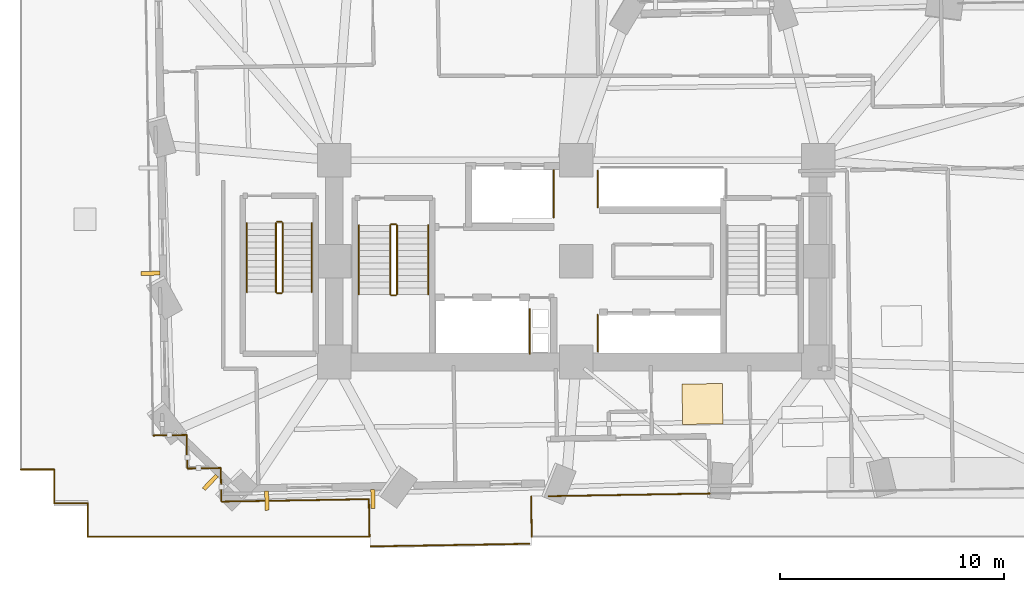
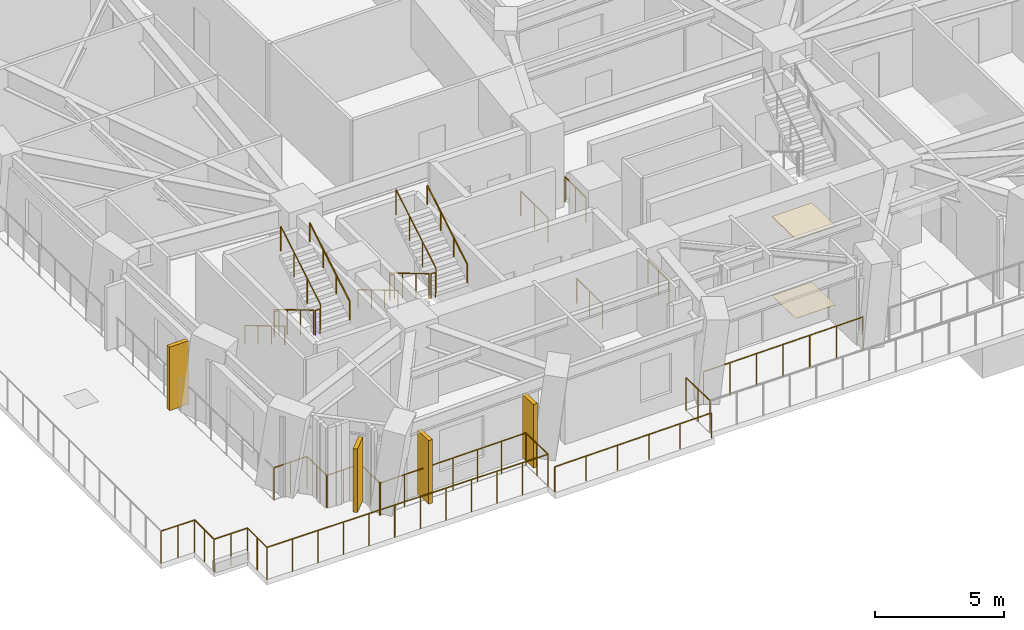
# One storey, part 11 of 17: 30 railings, 4 shading devices, 2 coverings.
"""IFC4 building model written with IfcOpenShell, lengths in metres."""

from ifc_helpers import new_model, si_unit, direction, frame, origin, origin_2d, place, context, subcontext, project, spatial, rectangle, circle, extrude, material, layer, layer_set, type_object, element, save


model = new_model("IFC4")

# Units and contexts
model_context = context("Model", 3, precision=1e-05, world=origin(), true_north=direction((0.0, 1.0)))
body_context = subcontext(model_context, "Body", "Model", "MODEL_VIEW")
ifc_project = project(units=[si_unit("LENGTHUNIT", "METRE"), si_unit("AREAUNIT", "SQUARE_METRE"), si_unit("VOLUMEUNIT", "CUBIC_METRE"), si_unit("PLANEANGLEUNIT", "RADIAN"), si_unit("MASSUNIT", "GRAM", prefix="KILO")], contexts=[model_context])

# Site, building, storey
site_placement = place(None, origin())
site = spatial("IfcSite", under=ifc_project, at=site_placement, CompositionType="ELEMENT")
building_placement = place(site_placement, origin())
building = spatial("IfcBuilding", under=site, at=building_placement, Name="Gaonmaruhae Medical Tower", CompositionType="ELEMENT")
storey_placement = place(building_placement, frame((0.0, 0.0, 27.0)))
storey = spatial("IfcBuildingStorey", under=building, at=storey_placement, Name="L05", CompositionType="ELEMENT", Elevation=27.0)

# Coverings
ifc_material_1 = material(Name="Acoustic mineral ceiling tile", Category="finish")
ifc_layer_1 = layer(ifc_material_1, 0.02490234375)
ifc_layer_set_1 = layer_set([ifc_layer_1], Name="Acoustic mineral ceiling tile")
covering_type_1 = type_object("IfcCoveringType", Name="CLG-01 Antimicrobial Acoustic Mineral Ceiling", PredefinedType="CEILING", material=ifc_layer_set_1)
covering_1_placement = place(storey_placement, frame((30.4326171875, 5.9248046875, 3.735107421875), z_axis=(0.0, 0.0, 1.0), x_axis=(0.999862544538, 0.016579868188, 0.0)))
element("IfcCovering", 1, at=covering_1_placement, inside=storey, type_object=covering_type_1, Name="L05 Clinical Room Acoustic Ceiling 2", PredefinedType="CEILING", context=body_context, shape_type="SweptSolid", body=[
    extrude(rectangle(XDim=1.800048828125, YDim=1.800048828125, at=origin_2d()), origin(), (0.0, 0.0, 1.0), 0.02490234375),
])
ifc_material_2 = material(Name="Seamless clinical vinyl flooring", Category="finish")
ifc_layer_2 = layer(ifc_material_2, 0.014892578125)
ifc_layer_set_2 = layer_set([ifc_layer_2], Name="Seamless clinical vinyl flooring")
covering_type_2 = type_object("IfcCoveringType", Name="FLR-01 Seamless Clinical Antistatic Vinyl Flooring", PredefinedType="FLOORING", material=ifc_layer_set_2)
covering_2_placement = place(storey_placement, frame((30.4326171875, 5.9248046875, 0.0), z_axis=(0.0, 0.0, 1.0), x_axis=(0.999862544538, 0.016579868188, 0.0)))
element("IfcCovering", 2, at=covering_2_placement, inside=storey, type_object=covering_type_2, Name="L05 Clinical Room Vinyl Flooring 2", PredefinedType="FLOORING", context=body_context, shape_type="SweptSolid", body=[
    extrude(rectangle(XDim=1.800048828125, YDim=1.800048828125, at=origin_2d()), origin(), (0.0, 0.0, 1.0), 0.014892578125),
])

# Railings
ifc_material_3 = material(Name="Stainless steel 316L and laminated safety glass", Category="steel")
ifc_layer_3 = layer(ifc_material_3, 0.080078125)
ifc_layer_set_3 = layer_set([ifc_layer_3], Name="Stainless steel 316L and laminated safety glass")
railing_type_1 = type_object("IfcRailingType", Name="GD-120 Outdoor Terrace Safety Glass & Steel Balustrade", PredefinedType="BALUSTRADE", material=ifc_layer_set_3)
railing_1_placement = place(storey_placement, frame((22.700927734375, -0.314208984375, 0.0)))
element("IfcRailing", 3, at=railing_1_placement, inside=storey, type_object=railing_type_1, Name="L05 Perimeter Slab Edge Safety Balustrade 02", PredefinedType="BALUSTRADE", context=body_context, shape_type="SweptSolid", body=[
    extrude(circle(Radius=0.02392578125, at=origin_2d()), frame((0.0, 0.0, 1.17578125), z_axis=(-0.999862439307, -0.01658621304, 0.0), x_axis=(0.01658621304, -0.999862439307, 0.0)), (0.0, 0.0, 1.0), 7.080078125),
    extrude(circle(Radius=0.02099609375, at=origin_2d()), origin(), (0.0, 0.0, 1.0), 1.15185546875),
    extrude(circle(Radius=0.02099609375, at=origin_2d()), frame((-1.415771484375, -0.0234375, 0.0)), (0.0, 0.0, 1.0), 1.15185546875),
    extrude(circle(Radius=0.02099609375, at=origin_2d()), frame((-2.83154296875, -0.046875, 0.0)), (0.0, 0.0, 1.0), 1.15185546875),
    extrude(circle(Radius=0.02099609375, at=origin_2d()), frame((-4.24755859375, -0.070556640625, 0.0)), (0.0, 0.0, 1.0), 1.15185546875),
    extrude(circle(Radius=0.02099609375, at=origin_2d()), frame((-5.663330078125, -0.093994140625, 0.0)), (0.0, 0.0, 1.0), 1.15185546875),
    extrude(circle(Radius=0.02099609375, at=origin_2d()), frame((-7.0791015625, -0.117431640625, 0.0)), (0.0, 0.0, 1.0), 1.15185546875),
])
ifc_layer_4 = layer(ifc_material_3, 0.080078125)
ifc_layer_set_4 = layer_set([ifc_layer_4], Name="Stainless steel 316L and laminated safety glass")
railing_type_2 = type_object("IfcRailingType", Name="GD-155 Planter-Edge Raised Safety Balustrade", PredefinedType="BALUSTRADE", material=ifc_layer_set_4)
railing_2_placement = place(storey_placement, frame((3.0, 1.5, 0.0)))
element("IfcRailing", 4, at=railing_2_placement, inside=storey, type_object=railing_type_2, Name="L05 Terrace Safety Guard RL-SLB-L05-PODROOF1-01", PredefinedType="BALUSTRADE", context=body_context, shape_type="SweptSolid", body=[
    extrude(circle(Radius=0.02392578125, at=origin_2d()), frame((0.0, 0.0, 1.52587890625), z_axis=(-1.0, 0.0, 0.0), x_axis=(0.0, -1.0, 0.0)), (0.0, 0.0, 1.0), 1.5),
    extrude(circle(Radius=0.02099609375, at=origin_2d()), origin(), (0.0, 0.0, 1.0), 1.501953125),
    extrude(circle(Radius=0.02099609375, at=origin_2d()), frame((-0.75, 0.0, 0.0)), (0.0, 0.0, 1.0), 1.501953125),
    extrude(circle(Radius=0.02099609375, at=origin_2d()), frame((-1.5, 0.0, 0.0)), (0.0, 0.0, 1.0), 1.501953125),
])
railing_3_placement = place(storey_placement, frame((1.5, 1.5, 0.0)))
element("IfcRailing", 5, at=railing_3_placement, inside=storey, type_object=railing_type_2, Name="L05 Terrace Safety Guard RL-SLB-L05-PODROOF1-02", PredefinedType="BALUSTRADE", context=body_context, shape_type="SweptSolid", body=[
    extrude(circle(Radius=0.02392578125, at=origin_2d()), frame((0.0, 0.0, 1.52587890625), z_axis=(0.0, 1.0, 0.0), x_axis=(-1.0, 0.0, 0.0)), (0.0, 0.0, 1.0), 1.5),
    extrude(circle(Radius=0.02099609375, at=origin_2d()), origin(), (0.0, 0.0, 1.0), 1.501953125),
    extrude(circle(Radius=0.02099609375, at=origin_2d()), frame((0.0, 0.75, 0.0)), (0.0, 0.0, 1.0), 1.501953125),
    extrude(circle(Radius=0.02099609375, at=origin_2d()), frame((0.0, 1.5, 0.0)), (0.0, 0.0, 1.0), 1.501953125),
])
railing_4_placement = place(storey_placement, frame((1.5, 3.0, 0.0)))
element("IfcRailing", 6, at=railing_4_placement, inside=storey, type_object=railing_type_2, Name="L05 Terrace Safety Guard RL-SLB-L05-PODROOF1-03", PredefinedType="BALUSTRADE", context=body_context, shape_type="SweptSolid", body=[
    extrude(circle(Radius=0.02392578125, at=origin_2d()), frame((0.0, 0.0, 1.52587890625), z_axis=(-1.0, 0.0, 0.0), x_axis=(0.0, -1.0, 0.0)), (0.0, 0.0, 1.0), 1.5),
    extrude(circle(Radius=0.02099609375, at=origin_2d()), origin(), (0.0, 0.0, 1.0), 1.501953125),
    extrude(circle(Radius=0.02099609375, at=origin_2d()), frame((-0.75, 0.0, 0.0)), (0.0, 0.0, 1.0), 1.501953125),
    extrude(circle(Radius=0.02099609375, at=origin_2d()), frame((-1.5, 0.0, 0.0)), (0.0, 0.0, 1.0), 1.501953125),
])
railing_5_placement = place(storey_placement, frame((22.815673828125, 0.0, 0.0)))
element("IfcRailing", 7, at=railing_5_placement, inside=storey, type_object=railing_type_2, Name="L05 Terrace Safety Guard RL-SLB-L05-PODROOF1-22", PredefinedType="BALUSTRADE", context=body_context, shape_type="SweptSolid", body=[
    extrude(circle(Radius=0.02392578125, at=origin_2d()), frame((0.0, 0.0, 1.52587890625), z_axis=(-0.016567059125, 0.999862756858, 0.0), x_axis=(-0.999862756858, -0.016567059125, 0.0)), (0.0, 0.0, 1.0), 1.7978515625),
    extrude(circle(Radius=0.02099609375, at=origin_2d()), origin(), (0.0, 0.0, 1.0), 1.501953125),
    extrude(circle(Radius=0.02099609375, at=origin_2d()), frame((-0.014892578125, 0.89892578125, 0.0)), (0.0, 0.0, 1.0), 1.501953125),
    extrude(circle(Radius=0.02099609375, at=origin_2d()), frame((-0.02978515625, 1.797607421875, 0.0)), (0.0, 0.0, 1.0), 1.501953125),
])
railing_6_placement = place(storey_placement, frame((23.56591796875, 1.810546875, 0.0)))
element("IfcRailing", 8, at=railing_6_placement, inside=storey, type_object=railing_type_2, Name="L05 Terrace Safety Guard RL-SLB-L05-PODROOF1-24", PredefinedType="BALUSTRADE", context=body_context, shape_type="SweptSolid", body=[
    extrude(circle(Radius=0.02392578125, at=origin_2d()), frame((0.0, 0.0, 1.52587890625), z_axis=(0.999863082403, 0.016547400014, 0.0), x_axis=(-0.016547400014, 0.999863082403, 0.0)), (0.0, 0.0, 1.0), 7.199951171875),
    extrude(circle(Radius=0.02099609375, at=origin_2d()), origin(), (0.0, 0.0, 1.0), 1.501953125),
    extrude(circle(Radius=0.02099609375, at=origin_2d()), frame((1.19970703125, 0.019775390625, 0.0)), (0.0, 0.0, 1.0), 1.501953125),
    extrude(circle(Radius=0.02099609375, at=origin_2d()), frame((2.399658203125, 0.039794921875, 0.0)), (0.0, 0.0, 1.0), 1.501953125),
    extrude(circle(Radius=0.02099609375, at=origin_2d()), frame((3.599609375, 0.0595703125, 0.0)), (0.0, 0.0, 1.0), 1.501953125),
    extrude(circle(Radius=0.02099609375, at=origin_2d()), frame((4.79931640625, 0.079345703125, 0.0)), (0.0, 0.0, 1.0), 1.501953125),
    extrude(circle(Radius=0.02099609375, at=origin_2d()), frame((5.9990234375, 0.099365234375, 0.0)), (0.0, 0.0, 1.0), 1.501953125),
    extrude(circle(Radius=0.02099609375, at=origin_2d()), frame((7.198974609375, 0.119140625, 0.0)), (0.0, 0.0, 1.0), 1.501953125),
])
railing_7_placement = place(storey_placement, frame((5.9326171875, 4.5185546875, 0.0)))
element("IfcRailing", 9, at=railing_7_placement, inside=storey, type_object=railing_type_2, Name="L05 Terrace Safety Guard RL-SLB-L05-PODROOF1-273", PredefinedType="BALUSTRADE", context=body_context, shape_type="SweptSolid", body=[
    extrude(circle(Radius=0.02392578125, at=origin_2d()), frame((0.0, 0.0, 1.52587890625), z_axis=(0.999863920476, 0.016496682403, 0.0), x_axis=(-0.016496682403, 0.999863920476, 0.0)), (0.0, 0.0, 1.0), 1.47998046875),
    extrude(circle(Radius=0.02099609375, at=origin_2d()), origin(), (0.0, 0.0, 1.0), 1.501953125),
    extrude(circle(Radius=0.02099609375, at=origin_2d()), frame((0.73974609375, 0.01220703125, 0.0)), (0.0, 0.0, 1.0), 1.501953125),
    extrude(circle(Radius=0.02099609375, at=origin_2d()), frame((1.479736328125, 0.0244140625, 0.0)), (0.0, 0.0, 1.0), 1.501953125),
])
railing_8_placement = place(storey_placement, frame((7.412353515625, 4.54296875, 0.0)))
element("IfcRailing", 10, at=railing_8_placement, inside=storey, type_object=railing_type_2, Name="L05 Terrace Safety Guard RL-SLB-L05-PODROOF1-274", PredefinedType="BALUSTRADE", context=body_context, shape_type="SweptSolid", body=[
    extrude(circle(Radius=0.02392578125, at=origin_2d()), frame((0.0, 0.0, 1.52587890625), z_axis=(0.016496682403, -0.999863920476, 0.0), x_axis=(0.999863920476, 0.016496682403, 0.0)), (0.0, 0.0, 1.0), 1.47998046875),
    extrude(circle(Radius=0.02099609375, at=origin_2d()), origin(), (0.0, 0.0, 1.0), 1.501953125),
    extrude(circle(Radius=0.02099609375, at=origin_2d()), frame((0.01220703125, -0.73974609375, 0.0)), (0.0, 0.0, 1.0), 1.501953125),
    extrude(circle(Radius=0.02099609375, at=origin_2d()), frame((0.0244140625, -1.479736328125, 0.0)), (0.0, 0.0, 1.0), 1.501953125),
])
railing_9_placement = place(storey_placement, frame((7.45703125, 3.043701171875, 0.0)))
element("IfcRailing", 11, at=railing_9_placement, inside=storey, type_object=railing_type_2, Name="L05 Terrace Safety Guard RL-SLB-L05-PODROOF1-291", PredefinedType="BALUSTRADE", context=body_context, shape_type="SweptSolid", body=[
    extrude(circle(Radius=0.02392578125, at=origin_2d()), frame((0.0, 0.0, 1.52587890625), z_axis=(0.999863965359, 0.016493961817, 0.0), x_axis=(-0.016493961817, 0.999863965359, 0.0)), (0.0, 0.0, 1.0), 1.480224609375),
    extrude(circle(Radius=0.02099609375, at=origin_2d()), origin(), (0.0, 0.0, 1.0), 1.501953125),
    extrude(circle(Radius=0.02099609375, at=origin_2d()), frame((0.739990234375, 0.01220703125, 0.0)), (0.0, 0.0, 1.0), 1.501953125),
    extrude(circle(Radius=0.02099609375, at=origin_2d()), frame((1.47998046875, 0.0244140625, 0.0)), (0.0, 0.0, 1.0), 1.501953125),
])
railing_10_placement = place(storey_placement, frame((8.93701171875, 3.068115234375, 0.0)))
element("IfcRailing", 12, at=railing_10_placement, inside=storey, type_object=railing_type_2, Name="L05 Terrace Safety Guard RL-SLB-L05-PODROOF1-292", PredefinedType="BALUSTRADE", context=body_context, shape_type="SweptSolid", body=[
    extrude(circle(Radius=0.02392578125, at=origin_2d()), frame((0.0, 0.0, 1.52587890625), z_axis=(0.016496682403, -0.999863920476, 0.0), x_axis=(0.999863920476, 0.016496682403, 0.0)), (0.0, 0.0, 1.0), 1.47998046875),
    extrude(circle(Radius=0.02099609375, at=origin_2d()), origin(), (0.0, 0.0, 1.0), 1.501953125),
    extrude(circle(Radius=0.02099609375, at=origin_2d()), frame((0.01220703125, -0.73974609375, 0.0)), (0.0, 0.0, 1.0), 1.501953125),
    extrude(circle(Radius=0.02099609375, at=origin_2d()), frame((0.0244140625, -1.479736328125, 0.0)), (0.0, 0.0, 1.0), 1.501953125),
])
railing_11_placement = place(storey_placement, frame((8.981689453125, 1.568603515625, 0.0)))
element("IfcRailing", 13, at=railing_11_placement, inside=storey, type_object=railing_type_2, Name="L05 Terrace Safety Guard RL-SLB-L05-PODROOF1-309", PredefinedType="BALUSTRADE", context=body_context, shape_type="SweptSolid", body=[
    extrude(circle(Radius=0.02392578125, at=origin_2d()), frame((0.0, 0.0, 1.52587890625), z_axis=(0.999862489384, 0.016583194015, 0.0), x_axis=(-0.016583194015, 0.999862489384, 0.0)), (0.0, 0.0, 1.0), 6.566162109375),
    extrude(circle(Radius=0.02099609375, at=origin_2d()), origin(), (0.0, 0.0, 1.0), 1.501953125),
    extrude(circle(Radius=0.02099609375, at=origin_2d()), frame((1.09423828125, 0.01806640625, 0.0)), (0.0, 0.0, 1.0), 1.501953125),
    extrude(circle(Radius=0.02099609375, at=origin_2d()), frame((2.1884765625, 0.036376953125, 0.0)), (0.0, 0.0, 1.0), 1.501953125),
    extrude(circle(Radius=0.02099609375, at=origin_2d()), frame((3.28271484375, 0.054443359375, 0.0)), (0.0, 0.0, 1.0), 1.501953125),
    extrude(circle(Radius=0.02099609375, at=origin_2d()), frame((4.376708984375, 0.072509765625, 0.0)), (0.0, 0.0, 1.0), 1.501953125),
    extrude(circle(Radius=0.02099609375, at=origin_2d()), frame((5.470947265625, 0.0908203125, 0.0)), (0.0, 0.0, 1.0), 1.501953125),
    extrude(circle(Radius=0.02099609375, at=origin_2d()), frame((6.565185546875, 0.10888671875, 0.0)), (0.0, 0.0, 1.0), 1.501953125),
])
railing_12_placement = place(storey_placement, frame((15.546875, 1.677490234375, 0.0)))
element("IfcRailing", 14, at=railing_12_placement, inside=storey, type_object=railing_type_2, Name="L05 Terrace Safety Guard RL-SLB-L05-PODROOF1-310", PredefinedType="BALUSTRADE", context=body_context, shape_type="SweptSolid", body=[
    extrude(circle(Radius=0.02392578125, at=origin_2d()), frame((0.0, 0.0, 1.52587890625), z_axis=(0.016589188248, -0.999862389948, 0.0), x_axis=(0.999862389948, 0.016589188248, 0.0)), (0.0, 0.0, 1.0), 1.677734375),
    extrude(circle(Radius=0.02099609375, at=origin_2d()), origin(), (0.0, 0.0, 1.0), 1.501953125),
    extrude(circle(Radius=0.02099609375, at=origin_2d()), frame((0.013916015625, -0.8388671875, 0.0)), (0.0, 0.0, 1.0), 1.501953125),
    extrude(circle(Radius=0.02099609375, at=origin_2d()), frame((0.02783203125, -1.677490234375, 0.0)), (0.0, 0.0, 1.0), 1.501953125),
])
railing_13_placement = place(storey_placement, frame((15.57470703125, 0.0, 0.0)))
element("IfcRailing", 15, at=railing_13_placement, inside=storey, type_object=railing_type_2, Name="L05 Terrace Safety Guard RL-SLB-L05-PODROOF1-311", PredefinedType="BALUSTRADE", context=body_context, shape_type="SweptSolid", body=[
    extrude(circle(Radius=0.02392578125, at=origin_2d()), frame((0.0, 0.0, 1.52587890625), z_axis=(-1.0, 0.0, 0.0), x_axis=(0.0, -1.0, 0.0)), (0.0, 0.0, 1.0), 12.57470703125),
    extrude(circle(Radius=0.02099609375, at=origin_2d()), origin(), (0.0, 0.0, 1.0), 1.501953125),
    extrude(circle(Radius=0.02099609375, at=origin_2d()), frame((-1.14306640625, 0.0, 0.0)), (0.0, 0.0, 1.0), 1.501953125),
    extrude(circle(Radius=0.02099609375, at=origin_2d()), frame((-2.286376953125, 0.0, 0.0)), (0.0, 0.0, 1.0), 1.501953125),
    extrude(circle(Radius=0.02099609375, at=origin_2d()), frame((-3.429443359375, 0.0, 0.0)), (0.0, 0.0, 1.0), 1.501953125),
    extrude(circle(Radius=0.02099609375, at=origin_2d()), frame((-4.572509765625, 0.0, 0.0)), (0.0, 0.0, 1.0), 1.501953125),
    extrude(circle(Radius=0.02099609375, at=origin_2d()), frame((-5.7158203125, 0.0, 0.0)), (0.0, 0.0, 1.0), 1.501953125),
    extrude(circle(Radius=0.02099609375, at=origin_2d()), frame((-6.85888671875, 0.0, 0.0)), (0.0, 0.0, 1.0), 1.501953125),
    extrude(circle(Radius=0.02099609375, at=origin_2d()), frame((-8.002197265625, 0.0, 0.0)), (0.0, 0.0, 1.0), 1.501953125),
    extrude(circle(Radius=0.02099609375, at=origin_2d()), frame((-9.145263671875, 0.0, 0.0)), (0.0, 0.0, 1.0), 1.501953125),
    extrude(circle(Radius=0.02099609375, at=origin_2d()), frame((-10.288330078125, 0.0, 0.0)), (0.0, 0.0, 1.0), 1.501953125),
    extrude(circle(Radius=0.02099609375, at=origin_2d()), frame((-11.431640625, 0.0, 0.0)), (0.0, 0.0, 1.0), 1.501953125),
    extrude(circle(Radius=0.02099609375, at=origin_2d()), frame((-12.57470703125, 0.0, 0.0)), (0.0, 0.0, 1.0), 1.501953125),
])
railing_14_placement = place(storey_placement, frame((3.0, 0.0, 0.0)))
element("IfcRailing", 16, at=railing_14_placement, inside=storey, type_object=railing_type_2, Name="L05 Terrace Safety Guard RL-SLB-L05-PODROOF1-312", PredefinedType="BALUSTRADE", context=body_context, shape_type="SweptSolid", body=[
    extrude(circle(Radius=0.02392578125, at=origin_2d()), frame((0.0, 0.0, 1.52587890625), z_axis=(0.0, 1.0, 0.0), x_axis=(-1.0, 0.0, 0.0)), (0.0, 0.0, 1.0), 1.5),
    extrude(circle(Radius=0.02099609375, at=origin_2d()), origin(), (0.0, 0.0, 1.0), 1.501953125),
    extrude(circle(Radius=0.02099609375, at=origin_2d()), frame((0.0, 0.75, 0.0)), (0.0, 0.0, 1.0), 1.501953125),
    extrude(circle(Radius=0.02099609375, at=origin_2d()), frame((0.0, 1.5, 0.0)), (0.0, 0.0, 1.0), 1.501953125),
])
ifc_material_4 = material(Name="Stainless steel 304 handrail", Category="steel")
railing_type_3 = type_object("IfcRailingType", Name="HR-092 Continuous Stainless Steel Stair Handrail", PredefinedType="HANDRAIL", material=ifc_material_4)
railing_15_placement = place(storey_placement, frame((15.10009765625, 13.89990234375, 0.166748046875)))
element("IfcRailing", 17, at=railing_15_placement, inside=storey, type_object=railing_type_3, Name="L05 ST-01 stair handrail 1", PredefinedType="HANDRAIL", context=body_context, shape_type="SweptSolid", body=[
    extrude(circle(Radius=0.02392578125, at=origin_2d()), frame((0.0, 0.0, 0.8759765625), z_axis=(0.0, -0.859290745958, 0.51148745235), x_axis=(1.0, 0.0, 0.0)), (0.0, 0.0, 1.0), 3.584228515625),
    extrude(circle(Radius=0.02099609375, at=origin_2d()), origin(), (0.0, 0.0, 1.0), 0.851806640625),
    extrude(circle(Radius=0.02099609375, at=origin_2d()), frame((0.0, -1.026611328125, 0.611083984375)), (0.0, 0.0, 1.0), 0.851806640625),
    extrude(circle(Radius=0.02099609375, at=origin_2d()), frame((0.0, -2.05322265625, 1.22216796875)), (0.0, 0.0, 1.0), 0.851806640625),
    extrude(circle(Radius=0.02099609375, at=origin_2d()), frame((0.0, -3.079833984375, 1.833251953125)), (0.0, 0.0, 1.0), 0.851806640625),
])
railing_16_placement = place(storey_placement, frame((18.199951171875, 10.820068359375, 2.166748046875)))
element("IfcRailing", 18, at=railing_16_placement, inside=storey, type_object=railing_type_3, Name="L05 ST-01 stair handrail 2", PredefinedType="HANDRAIL", context=body_context, shape_type="SweptSolid", body=[
    extrude(circle(Radius=0.02392578125, at=origin_2d()), frame((0.0, 0.0, 0.8759765625), z_axis=(0.0, 0.859290745958, 0.51148745235), x_axis=(-1.0, 0.0, 0.0)), (0.0, 0.0, 1.0), 3.584228515625),
    extrude(circle(Radius=0.02099609375, at=origin_2d()), origin(), (0.0, 0.0, 1.0), 0.851806640625),
    extrude(circle(Radius=0.02099609375, at=origin_2d()), frame((0.0, 1.026611328125, 0.611083984375)), (0.0, 0.0, 1.0), 0.851806640625),
    extrude(circle(Radius=0.02099609375, at=origin_2d()), frame((0.0, 2.05322265625, 1.22216796875)), (0.0, 0.0, 1.0), 0.851806640625),
    extrude(circle(Radius=0.02099609375, at=origin_2d()), frame((0.0, 3.079833984375, 1.833251953125)), (0.0, 0.0, 1.0), 0.851806640625),
])
railing_17_placement = place(storey_placement, frame((10.10009765625, 14.0, 0.166748046875)))
element("IfcRailing", 19, at=railing_17_placement, inside=storey, type_object=railing_type_3, Name="L05 ST-03 stair handrail 1", PredefinedType="HANDRAIL", context=body_context, shape_type="SweptSolid", body=[
    extrude(circle(Radius=0.02392578125, at=origin_2d()), frame((0.0, 0.0, 0.8759765625), z_axis=(0.0, -0.859308565015, 0.511457515432), x_axis=(1.0, 0.0, 0.0)), (0.0, 0.0, 1.0), 3.58447265625),
    extrude(circle(Radius=0.02099609375, at=origin_2d()), origin(), (0.0, 0.0, 1.0), 0.851806640625),
    extrude(circle(Radius=0.02099609375, at=origin_2d()), frame((0.0, -1.026611328125, 0.611083984375)), (0.0, 0.0, 1.0), 0.851806640625),
    extrude(circle(Radius=0.02099609375, at=origin_2d()), frame((0.0, -2.053466796875, 1.22216796875)), (0.0, 0.0, 1.0), 0.851806640625),
    extrude(circle(Radius=0.02099609375, at=origin_2d()), frame((0.0, -3.080078125, 1.833251953125)), (0.0, 0.0, 1.0), 0.851806640625),
])
railing_18_placement = place(storey_placement, frame((13.0, 10.919921875, 2.166748046875)))
element("IfcRailing", 20, at=railing_18_placement, inside=storey, type_object=railing_type_3, Name="L05 ST-03 stair handrail 2", PredefinedType="HANDRAIL", context=body_context, shape_type="SweptSolid", body=[
    extrude(circle(Radius=0.02392578125, at=origin_2d()), frame((0.0, 0.0, 0.8759765625), z_axis=(0.0, 0.859308565015, 0.511457515432), x_axis=(-1.0, 0.0, 0.0)), (0.0, 0.0, 1.0), 3.58447265625),
    extrude(circle(Radius=0.02099609375, at=origin_2d()), origin(), (0.0, 0.0, 1.0), 0.851806640625),
    extrude(circle(Radius=0.02099609375, at=origin_2d()), frame((0.0, 1.026611328125, 0.611083984375)), (0.0, 0.0, 1.0), 0.851806640625),
    extrude(circle(Radius=0.02099609375, at=origin_2d()), frame((0.0, 2.053466796875, 1.22216796875)), (0.0, 0.0, 1.0), 0.851806640625),
    extrude(circle(Radius=0.02099609375, at=origin_2d()), frame((0.0, 3.080078125, 1.833251953125)), (0.0, 0.0, 1.0), 0.851806640625),
])

# Shading devices
ifc_material_5 = material(Name="Pigmented coral precast concrete C45/55", Category="concrete")
shading_device_type = type_object("IfcShadingDeviceType", Name="SD-FIN1 Tower Vertical Coral Precast Shading Fin", PredefinedType="USERDEFINED", material=ifc_material_5)
for number, where, z_axis, x_axis, name in (
    (21, (15.72509765625, 1.685546875, 0.08251953125), (0.0, 0.0, 1.0), (-0.999862544538, -0.016579868188, 0.0), "L05 Vertical Coral Precast Shading Fin S01"),
    (22, (10.991455078125, 1.60693359375, 0.08251953125), (0.0, 0.0, 1.0), (-0.999862544538, -0.016579868188, 0.0), "L05 Vertical Coral Precast Shading Fin S01B"),
    (23, (5.79736328125, 11.757568359375, 0.08251953125), (0.0, 0.0, 1.0), (-0.016579868188, 0.999862544538, 0.0), "L05 Vertical Coral Precast Shading Fin W05"),
    (24, (8.471923828125, 2.4267578125, 0.08251953125), (0.0, 0.0, 1.0), (-0.718721187588, 0.695298392428, 0.0), "L05 Vertical Coral Precast Shading Fin W07"),
):
    element("IfcShadingDevice", number, at=place(storey_placement, frame(where, z_axis=z_axis, x_axis=x_axis)), inside=storey, type_object=shading_device_type, Name=name, ObjectType="FIN", PredefinedType="USERDEFINED", context=body_context, shape_type="SweptSolid", body=[
        extrude(rectangle(XDim=0.179931640625, YDim=0.85009765625, at=origin_2d()), origin(), (0.0, 0.0, 1.0), 3.0),
    ])

# Railings
ifc_material_6 = material(Name="Stainless steel 304 balustrade", Category="steel")
railing_type_4 = type_object("IfcRailingType", Name="SG-112 Stair Well & Ramp Void Safety Balustrade", PredefinedType="BALUSTRADE", material=ifc_material_6)
railing_19_placement = place(storey_placement, frame((16.5, 13.89990234375, 0.166748046875)))
element("IfcRailing", 25, at=railing_19_placement, inside=storey, type_object=railing_type_4, Name="L05 ST-01 stair guard 1", PredefinedType="BALUSTRADE", context=body_context, shape_type="SweptSolid", body=[
    extrude(circle(Radius=0.02392578125, at=origin_2d()), frame((0.0, 0.0, 1.17578125), z_axis=(0.0, -0.859290745958, 0.51148745235), x_axis=(1.0, 0.0, 0.0)), (0.0, 0.0, 1.0), 3.584228515625),
    extrude(circle(Radius=0.02099609375, at=origin_2d()), origin(), (0.0, 0.0, 1.0), 1.15185546875),
    extrude(circle(Radius=0.02099609375, at=origin_2d()), frame((0.0, -1.026611328125, 0.611083984375)), (0.0, 0.0, 1.0), 1.15185546875),
    extrude(circle(Radius=0.02099609375, at=origin_2d()), frame((0.0, -2.05322265625, 1.22216796875)), (0.0, 0.0, 1.0), 1.15185546875),
    extrude(circle(Radius=0.02099609375, at=origin_2d()), frame((0.0, -3.079833984375, 1.833251953125)), (0.0, 0.0, 1.0), 1.15185546875),
])
railing_20_placement = place(storey_placement, frame((16.550048828125, 10.77001953125, 2.0)))
element("IfcRailing", 26, at=railing_20_placement, inside=storey, type_object=railing_type_4, Name="L05 ST-01 stair guard 2", PredefinedType="BALUSTRADE", context=body_context, shape_type="SweptSolid", body=[
    extrude(circle(Radius=0.02392578125, at=origin_2d()), frame((0.0, 0.0, 1.17578125), z_axis=(1.0, 0.0, 0.0), x_axis=(0.0, 1.0, 0.0)), (0.0, 0.0, 1.0), 0.199951171875),
    extrude(circle(Radius=0.02099609375, at=origin_2d()), origin(), (0.0, 0.0, 1.0), 1.15185546875),
    extrude(circle(Radius=0.02099609375, at=origin_2d()), frame((0.199951171875, 0.0, 0.0)), (0.0, 0.0, 1.0), 1.15185546875),
])
railing_21_placement = place(storey_placement, frame((16.800048828125, 10.820068359375, 2.166748046875)))
element("IfcRailing", 27, at=railing_21_placement, inside=storey, type_object=railing_type_4, Name="L05 ST-01 stair guard 3", PredefinedType="BALUSTRADE", context=body_context, shape_type="SweptSolid", body=[
    extrude(circle(Radius=0.02392578125, at=origin_2d()), frame((0.0, 0.0, 1.17578125), z_axis=(0.0, 0.859290745958, 0.51148745235), x_axis=(-1.0, 0.0, 0.0)), (0.0, 0.0, 1.0), 3.584228515625),
    extrude(circle(Radius=0.02099609375, at=origin_2d()), origin(), (0.0, 0.0, 1.0), 1.15185546875),
    extrude(circle(Radius=0.02099609375, at=origin_2d()), frame((0.0, 1.026611328125, 0.611083984375)), (0.0, 0.0, 1.0), 1.15185546875),
    extrude(circle(Radius=0.02099609375, at=origin_2d()), frame((0.0, 2.05322265625, 1.22216796875)), (0.0, 0.0, 1.0), 1.15185546875),
    extrude(circle(Radius=0.02099609375, at=origin_2d()), frame((0.0, 3.079833984375, 1.833251953125)), (0.0, 0.0, 1.0), 1.15185546875),
])
railing_22_placement = place(storey_placement, frame((16.550048828125, 13.949951171875, 0.0)))
element("IfcRailing", 28, at=railing_22_placement, inside=storey, type_object=railing_type_4, Name="L05 ST-01 stair guard 4", PredefinedType="BALUSTRADE", context=body_context, shape_type="SweptSolid", body=[
    extrude(circle(Radius=0.02392578125, at=origin_2d()), frame((0.0, 0.0, 1.17578125), z_axis=(1.0, 0.0, 0.0), x_axis=(0.0, 1.0, 0.0)), (0.0, 0.0, 1.0), 0.199951171875),
    extrude(circle(Radius=0.02099609375, at=origin_2d()), origin(), (0.0, 0.0, 1.0), 1.15185546875),
    extrude(circle(Radius=0.02099609375, at=origin_2d()), frame((0.199951171875, 0.0, 0.0)), (0.0, 0.0, 1.0), 1.15185546875),
])
railing_23_placement = place(storey_placement, frame((11.39990234375, 14.0, 0.166748046875)))
element("IfcRailing", 29, at=railing_23_placement, inside=storey, type_object=railing_type_4, Name="L05 ST-03 stair guard 1", PredefinedType="BALUSTRADE", context=body_context, shape_type="SweptSolid", body=[
    extrude(circle(Radius=0.02392578125, at=origin_2d()), frame((0.0, 0.0, 1.17578125), z_axis=(0.0, -0.859308565015, 0.511457515432), x_axis=(1.0, 0.0, 0.0)), (0.0, 0.0, 1.0), 3.58447265625),
    extrude(circle(Radius=0.02099609375, at=origin_2d()), origin(), (0.0, 0.0, 1.0), 1.15185546875),
    extrude(circle(Radius=0.02099609375, at=origin_2d()), frame((0.0, -1.026611328125, 0.611083984375)), (0.0, 0.0, 1.0), 1.15185546875),
    extrude(circle(Radius=0.02099609375, at=origin_2d()), frame((0.0, -2.053466796875, 1.22216796875)), (0.0, 0.0, 1.0), 1.15185546875),
    extrude(circle(Radius=0.02099609375, at=origin_2d()), frame((0.0, -3.080078125, 1.833251953125)), (0.0, 0.0, 1.0), 1.15185546875),
])
railing_24_placement = place(storey_placement, frame((11.449951171875, 10.8701171875, 2.0)))
element("IfcRailing", 30, at=railing_24_placement, inside=storey, type_object=railing_type_4, Name="L05 ST-03 stair guard 2", PredefinedType="BALUSTRADE", context=body_context, shape_type="SweptSolid", body=[
    extrude(circle(Radius=0.02392578125, at=origin_2d()), frame((0.0, 0.0, 1.17578125), z_axis=(1.0, 0.0, 0.0), x_axis=(0.0, 1.0, 0.0)), (0.0, 0.0, 1.0), 0.199951171875),
    extrude(circle(Radius=0.02099609375, at=origin_2d()), origin(), (0.0, 0.0, 1.0), 1.15185546875),
    extrude(circle(Radius=0.02099609375, at=origin_2d()), frame((0.199951171875, 0.0, 0.0)), (0.0, 0.0, 1.0), 1.15185546875),
])
railing_25_placement = place(storey_placement, frame((11.699951171875, 10.919921875, 2.166748046875)))
element("IfcRailing", 31, at=railing_25_placement, inside=storey, type_object=railing_type_4, Name="L05 ST-03 stair guard 3", PredefinedType="BALUSTRADE", context=body_context, shape_type="SweptSolid", body=[
    extrude(circle(Radius=0.02392578125, at=origin_2d()), frame((0.0, 0.0, 1.17578125), z_axis=(0.0, 0.859308565015, 0.511457515432), x_axis=(-1.0, 0.0, 0.0)), (0.0, 0.0, 1.0), 3.58447265625),
    extrude(circle(Radius=0.02099609375, at=origin_2d()), origin(), (0.0, 0.0, 1.0), 1.15185546875),
    extrude(circle(Radius=0.02099609375, at=origin_2d()), frame((0.0, 1.026611328125, 0.611083984375)), (0.0, 0.0, 1.0), 1.15185546875),
    extrude(circle(Radius=0.02099609375, at=origin_2d()), frame((0.0, 2.053466796875, 1.22216796875)), (0.0, 0.0, 1.0), 1.15185546875),
    extrude(circle(Radius=0.02099609375, at=origin_2d()), frame((0.0, 3.080078125, 1.833251953125)), (0.0, 0.0, 1.0), 1.15185546875),
])
railing_26_placement = place(storey_placement, frame((11.449951171875, 14.050048828125, 0.0)))
element("IfcRailing", 32, at=railing_26_placement, inside=storey, type_object=railing_type_4, Name="L05 ST-03 stair guard 4", PredefinedType="BALUSTRADE", context=body_context, shape_type="SweptSolid", body=[
    extrude(circle(Radius=0.02392578125, at=origin_2d()), frame((0.0, 0.0, 1.17578125), z_axis=(1.0, 0.0, 0.0), x_axis=(0.0, 1.0, 0.0)), (0.0, 0.0, 1.0), 0.199951171875),
    extrude(circle(Radius=0.02099609375, at=origin_2d()), origin(), (0.0, 0.0, 1.0), 1.15185546875),
    extrude(circle(Radius=0.02099609375, at=origin_2d()), frame((0.199951171875, 0.0, 0.0)), (0.0, 0.0, 1.0), 1.15185546875),
])
railing_27_placement = place(storey_placement, frame((25.7548828125, 8.27001953125, 0.0)))
element("IfcRailing", 33, at=railing_27_placement, inside=storey, type_object=railing_type_4, Name="L05 Shaft Edge Safety Guard 03", PredefinedType="BALUSTRADE", context=body_context, shape_type="SweptSolid", body=[
    extrude(circle(Radius=0.02392578125, at=origin_2d()), frame((0.0, 0.0, 1.17578125), z_axis=(0.0, 1.0, 0.0), x_axis=(-1.0, 0.0, 0.0)), (0.0, 0.0, 1.0), 1.635009765625),
    extrude(circle(Radius=0.02099609375, at=origin_2d()), origin(), (0.0, 0.0, 1.0), 1.15185546875),
    extrude(circle(Radius=0.02099609375, at=origin_2d()), frame((0.0, 0.8173828125, 0.0)), (0.0, 0.0, 1.0), 1.15185546875),
    extrude(circle(Radius=0.02099609375, at=origin_2d()), frame((0.0, 1.635009765625, 0.0)), (0.0, 0.0, 1.0), 1.15185546875),
])
railing_28_placement = place(storey_placement, frame((22.719970703125, 10.159912109375, 0.0)))
element("IfcRailing", 34, at=railing_28_placement, inside=storey, type_object=railing_type_4, Name="L05 Shaft Edge Safety Guard 04", PredefinedType="BALUSTRADE", context=body_context, shape_type="SweptSolid", body=[
    extrude(circle(Radius=0.02392578125, at=origin_2d()), frame((0.0, 0.0, 1.17578125), z_axis=(0.0, -1.0, 0.0), x_axis=(1.0, 0.0, 0.0)), (0.0, 0.0, 1.0), 1.994873046875),
    extrude(circle(Radius=0.02099609375, at=origin_2d()), origin(), (0.0, 0.0, 1.0), 1.15185546875),
    extrude(circle(Radius=0.02099609375, at=origin_2d()), frame((0.0, -0.99755859375, 0.0)), (0.0, 0.0, 1.0), 1.15185546875),
    extrude(circle(Radius=0.02099609375, at=origin_2d()), frame((0.0, -1.994873046875, 0.0)), (0.0, 0.0, 1.0), 1.15185546875),
])
railing_29_placement = place(storey_placement, frame((23.794921875, 16.35498046875, 0.0)))
element("IfcRailing", 35, at=railing_29_placement, inside=storey, type_object=railing_type_4, Name="L05 Shaft Edge Safety Guard 05", PredefinedType="BALUSTRADE", context=body_context, shape_type="SweptSolid", body=[
    extrude(circle(Radius=0.02392578125, at=origin_2d()), frame((0.0, 0.0, 1.17578125), z_axis=(0.0, -1.0, 0.0), x_axis=(1.0, 0.0, 0.0)), (0.0, 0.0, 1.0), 2.10986328125),
    extrude(circle(Radius=0.02099609375, at=origin_2d()), origin(), (0.0, 0.0, 1.0), 1.15185546875),
    extrude(circle(Radius=0.02099609375, at=origin_2d()), frame((0.0, -1.054931640625, 0.0)), (0.0, 0.0, 1.0), 1.15185546875),
    extrude(circle(Radius=0.02099609375, at=origin_2d()), frame((0.0, -2.10986328125, 0.0)), (0.0, 0.0, 1.0), 1.15185546875),
])
railing_30_placement = place(storey_placement, frame((25.7548828125, 14.695068359375, 0.0)))
element("IfcRailing", 36, at=railing_30_placement, inside=storey, type_object=railing_type_4, Name="L05 Shaft Edge Safety Guard 07", PredefinedType="BALUSTRADE", context=body_context, shape_type="SweptSolid", body=[
    extrude(circle(Radius=0.02392578125, at=origin_2d()), frame((0.0, 0.0, 1.17578125), z_axis=(0.0, 1.0, 0.0), x_axis=(-1.0, 0.0, 0.0)), (0.0, 0.0, 1.0), 1.635009765625),
    extrude(circle(Radius=0.02099609375, at=origin_2d()), origin(), (0.0, 0.0, 1.0), 1.15185546875),
    extrude(circle(Radius=0.02099609375, at=origin_2d()), frame((0.0, 0.8173828125, 0.0)), (0.0, 0.0, 1.0), 1.15185546875),
    extrude(circle(Radius=0.02099609375, at=origin_2d()), frame((0.0, 1.635009765625, 0.0)), (0.0, 0.0, 1.0), 1.15185546875),
])

save(model, "model.ifc")
